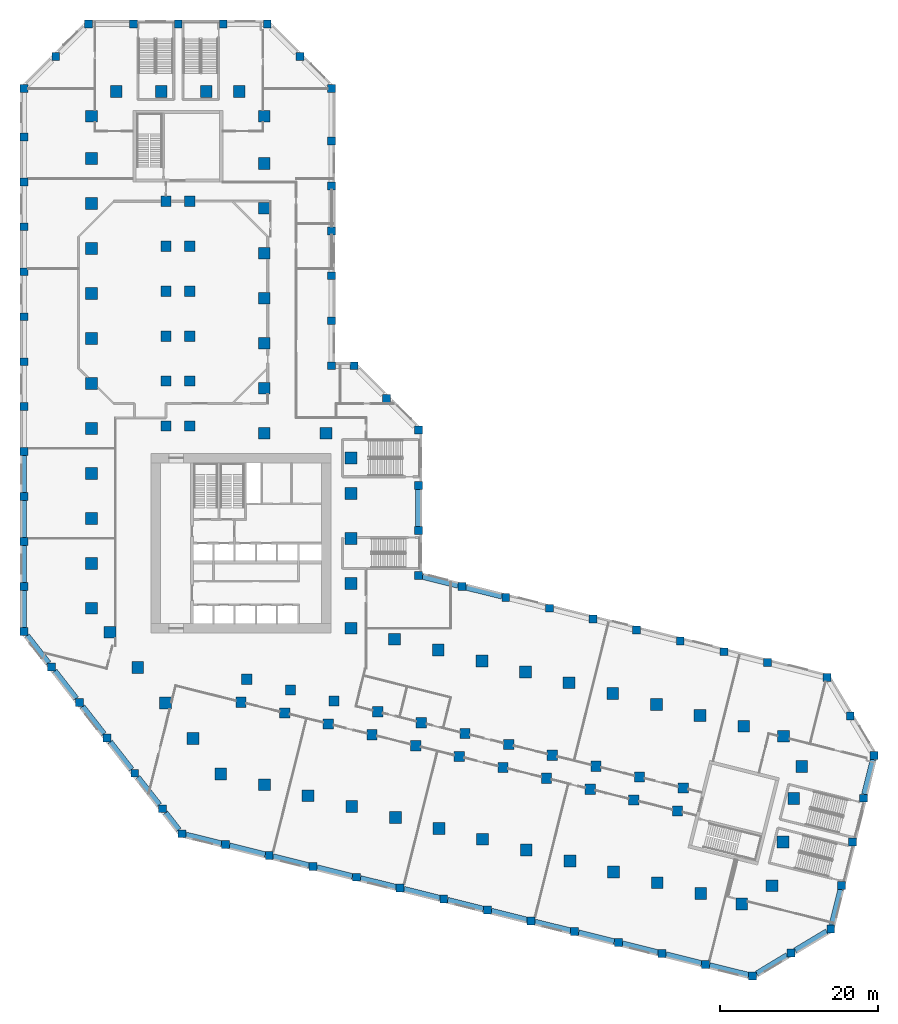
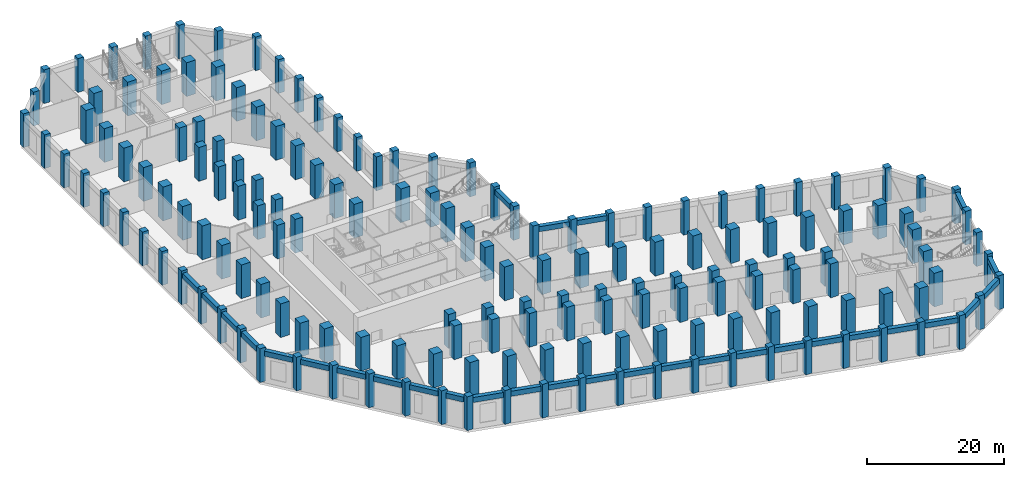
# One storey, part 1 of 15: 163 columns, 30 beams.
"""IFC4 building model written with IfcOpenShell, lengths in metres."""

from ifc_helpers import new_model, si_unit, direction, frame, origin, origin_2d, place, context, subcontext, project, spatial, rectangle, extrude, material, material_profile, profile_set, type_object, element, save


model = new_model("IFC4")

# Units and contexts
model_context = context("Model", 3, precision=1e-05, world=origin(), true_north=direction((0.0, 1.0)))
body_context = subcontext(model_context, "Body", "Model", "MODEL_VIEW")
ifc_project = project(units=[si_unit("LENGTHUNIT", "METRE"), si_unit("AREAUNIT", "SQUARE_METRE"), si_unit("VOLUMEUNIT", "CUBIC_METRE"), si_unit("PLANEANGLEUNIT", "RADIAN"), si_unit("MASSUNIT", "GRAM", prefix="KILO")], contexts=[model_context])

# Site, building, storey
site_placement = place(None, origin())
site = spatial("IfcSite", under=ifc_project, at=site_placement, CompositionType="ELEMENT")
building_placement = place(site_placement, origin())
building = spatial("IfcBuilding", under=site, at=building_placement, Name="Meshkara Civic Tower", CompositionType="ELEMENT")
storey_placement = place(building_placement, frame((0.0, 0.0, 12.60009765625)))
storey = spatial("IfcBuildingStorey", under=building, at=storey_placement, Name="L02", CompositionType="ELEMENT", Elevation=12.60009765625)

# Columns
ifc_material_1 = material(Name="Concrete C80", Category="concrete")
ifc_material_profile_1 = material_profile(ifc_material_1, rectangle(XDim=1.300048828125, YDim=1.300048828125, at=origin_2d()))
ifc_profile_set_1 = profile_set([ifc_material_profile_1], Name="Concrete C80")
column_type_1 = type_object("IfcColumnType", Name="Interior column RC 1300x1300 C80", PredefinedType="COLUMN", material=ifc_profile_set_1)
for number, where, z_axis, x_axis, name in (
    (1, (9.89990234375, 40.35009765625, 0.0), (0.0, 0.0, 1.0), (1.0, 0.0, 0.0), "Column SA1-04 L02"),
    (2, (9.89990234375, 46.050048828125, 0.0), (0.0, 0.0, 1.0), (1.0, 0.0, 0.0), "Column SA1-05 L02"),
    (3, (9.89990234375, 51.75, 0.0), (0.0, 0.0, 1.0), (1.0, 0.0, 0.0), "Column SA1-06 L02"),
    (4, (9.89990234375, 57.449951171875, 0.0), (0.0, 0.0, 1.0), (1.0, 0.0, 0.0), "Column SA1-07 L02"),
    (5, (9.89990234375, 63.14990234375, 0.0), (0.0, 0.0, 1.0), (1.0, 0.0, 0.0), "Column SA1-08 L02"),
    (6, (9.89990234375, 68.85009765625, 0.0), (0.0, 0.0, 1.0), (1.0, 0.0, 0.0), "Column SA1-09 L02"),
    (7, (12.89990234375, 40.35009765625, 0.0), (0.0, 0.0, 1.0), (1.0, 0.0, 0.0), "Column SA2-04 L02"),
    (8, (12.89990234375, 46.050048828125, 0.0), (0.0, 0.0, 1.0), (1.0, 0.0, 0.0), "Column SA2-05 L02"),
    (9, (12.89990234375, 51.75, 0.0), (0.0, 0.0, 1.0), (1.0, 0.0, 0.0), "Column SA2-06 L02"),
    (10, (12.89990234375, 57.449951171875, 0.0), (0.0, 0.0, 1.0), (1.0, 0.0, 0.0), "Column SA2-07 L02"),
    (11, (12.89990234375, 63.14990234375, 0.0), (0.0, 0.0, 1.0), (1.0, 0.0, 0.0), "Column SA2-08 L02"),
    (12, (12.89990234375, 68.85009765625, 0.0), (0.0, 0.0, 1.0), (1.0, 0.0, 0.0), "Column SA2-09 L02"),
    (13, (19.424072265625, 5.360107421875, 0.0), (0.0, 0.0, 1.0), (1.0, 0.0, 0.0), "Column SB1-00 L02"),
    (14, (24.9541015625, 3.98095703125, 0.0), (0.0, 0.0, 1.0), (1.0, 0.0, 0.0), "Column SB1-01 L02"),
    (15, (30.485107421875, 2.60205078125, 0.0), (0.0, 0.0, 1.0), (1.0, 0.0, 0.0), "Column SB1-02 L02"),
    (16, (36.01611328125, 1.222900390625, 0.0), (0.0, 0.0, 1.0), (1.0, 0.0, 0.0), "Column SB1-03 L02"),
    (17, (41.5458984375, -0.156005859375, 0.0), (0.0, 0.0, 1.0), (1.0, 0.0, 0.0), "Column SB1-04 L02"),
    (18, (47.076904296875, -1.534912109375, 0.0), (0.0, 0.0, 1.0), (1.0, 0.0, 0.0), "Column SB1-05 L02"),
    (19, (52.60791015625, -2.9140625, 0.0), (0.0, 0.0, 1.0), (1.0, 0.0, 0.0), "Column SB1-06 L02"),
    (20, (58.138916015625, -4.2919921875, 0.0), (0.0, 0.0, 1.0), (1.0, 0.0, 0.0), "Column SB1-07 L02"),
    (21, (63.6689453125, -5.6708984375, 0.0), (0.0, 0.0, 1.0), (1.0, 0.0, 0.0), "Column SB1-08 L02"),
    (22, (69.199951171875, -7.050048828125, 0.0), (0.0, 0.0, 1.0), (1.0, 0.0, 0.0), "Column SB1-09 L02"),
    (23, (74.73095703125, -8.428955078125, 0.0), (0.0, 0.0, 1.0), (1.0, 0.0, 0.0), "Column SB1-10 L02"),
    (24, (20.14892578125, 8.27099609375, 0.0), (0.0, 0.0, 1.0), (1.0, 0.0, 0.0), "Column SB2-00 L02"),
    (25, (25.679931640625, 6.89208984375, 0.0), (0.0, 0.0, 1.0), (1.0, 0.0, 0.0), "Column SB2-01 L02"),
    (26, (31.2109375, 5.512939453125, 0.0), (0.0, 0.0, 1.0), (1.0, 0.0, 0.0), "Column SB2-02 L02"),
    (27, (36.741943359375, 4.134033203125, 0.0), (0.0, 0.0, 1.0), (1.0, 0.0, 0.0), "Column SB2-03 L02"),
    (28, (42.27197265625, 2.7548828125, 0.0), (0.0, 0.0, 1.0), (1.0, 0.0, 0.0), "Column SB2-04 L02"),
    (29, (47.802978515625, 1.3759765625, 0.0), (0.0, 0.0, 1.0), (1.0, 0.0, 0.0), "Column SB2-05 L02"),
    (30, (53.333984375, -0.0029296875, 0.0), (0.0, 0.0, 1.0), (1.0, 0.0, 0.0), "Column SB2-06 L02"),
    (31, (58.864013671875, -1.382080078125, 0.0), (0.0, 0.0, 1.0), (1.0, 0.0, 0.0), "Column SB2-07 L02"),
    (32, (64.39501953125, -2.760986328125, 0.0), (0.0, 0.0, 1.0), (1.0, 0.0, 0.0), "Column SB2-08 L02"),
    (33, (69.926025390625, -4.139892578125, 0.0), (0.0, 0.0, 1.0), (1.0, 0.0, 0.0), "Column SB2-09 L02"),
    (34, (75.4560546875, -5.51806640625, 0.0), (0.0, 0.0, 1.0), (1.0, 0.0, 0.0), "Column SB2-10 L02"),
):
    element("IfcColumn", number, at=place(storey_placement, frame(where, z_axis=z_axis, x_axis=x_axis)), inside=storey, type_object=column_type_1, Name=name, PredefinedType="COLUMN", context=body_context, shape_type="SweptSolid", body=[
        extrude(rectangle(XDim=1.300048828125, YDim=1.300048828125, at=origin_2d()), origin(), (0.0, 0.0, 1.0), 6.0),
    ])
ifc_material_2 = material(Name="Concrete C80", Category="concrete")
ifc_material_profile_2 = material_profile(ifc_material_2, rectangle(XDim=1.5, YDim=1.5, at=origin_2d()))
ifc_profile_set_2 = profile_set([ifc_material_profile_2], Name="Concrete C80")
column_type_2 = type_object("IfcColumnType", Name="Perimeter column RC 1500x1500 C80", PredefinedType="COLUMN", material=ifc_profile_set_2)
for number, where, z_axis, x_axis, name in (
    (35, (33.35009765625, 14.718994140625, 0.0), (0.0, 0.0, 1.0), (1.0, 0.0, 0.0), "Column HE00 L02"),
    (36, (33.35009765625, 20.4189453125, 0.0), (0.0, 0.0, 1.0), (1.0, 0.0, 0.0), "Column HE01 L02"),
    (37, (33.35009765625, 26.118896484375, 0.0), (0.0, 0.0, 1.0), (1.0, 0.0, 0.0), "Column HE02 L02"),
    (38, (33.35009765625, 31.819091796875, 0.0), (0.0, 0.0, 1.0), (1.0, 0.0, 0.0), "Column HE03 L02"),
    (39, (33.35009765625, 36.2939453125, 0.0), (0.0, 0.0, 1.0), (1.0, 0.0, 0.0), "Column HEE L02"),
    (40, (30.194091796875, 39.449951171875, 0.0), (0.0, 0.0, 1.0), (1.0, 0.0, 0.0), "Column HCeE L02"),
    (41, (22.35009765625, 39.449951171875, 0.0), (0.0, 0.0, 1.0), (1.0, 0.0, 0.0), "Column HN00 L02"),
    (42, (22.35009765625, 45.14990234375, 0.0), (0.0, 0.0, 1.0), (1.0, 0.0, 0.0), "Column AE01 L02"),
    (43, (22.35009765625, 50.85009765625, 0.0), (0.0, 0.0, 1.0), (1.0, 0.0, 0.0), "Column AE02 L02"),
    (44, (22.35009765625, 56.550048828125, 0.0), (0.0, 0.0, 1.0), (1.0, 0.0, 0.0), "Column AE03 L02"),
    (45, (22.35009765625, 62.25, 0.0), (0.0, 0.0, 1.0), (1.0, 0.0, 0.0), "Column AE04 L02"),
    (46, (22.35009765625, 67.949951171875, 0.0), (0.0, 0.0, 1.0), (1.0, 0.0, 0.0), "Column AE05 L02"),
    (47, (22.35009765625, 73.64990234375, 0.0), (0.0, 0.0, 1.0), (1.0, 0.0, 0.0), "Column AE06 L02"),
    (48, (22.35009765625, 79.614013671875, 0.0), (0.0, 0.0, 1.0), (1.0, 0.0, 0.0), "Column AEE L02"),
    (49, (19.194091796875, 82.77001953125, 0.0), (0.0, 0.0, 1.0), (1.0, 0.0, 0.0), "Column ATiE L02"),
    (50, (3.60595703125, 82.77001953125, 0.0), (0.0, 0.0, 1.0), (1.0, 0.0, 0.0), "Column AT00 L02"),
    (51, (9.305908203125, 82.77001953125, 0.0), (0.0, 0.0, 1.0), (1.0, 0.0, 0.0), "Column AT01 L02"),
    (52, (15.006103515625, 82.77001953125, 0.0), (0.0, 0.0, 1.0), (1.0, 0.0, 0.0), "Column AT02 L02"),
    (53, (0.449951171875, 79.614013671875, 0.0), (0.0, 0.0, 1.0), (1.0, 0.0, 0.0), "Column ATo00 L02"),
    (54, (0.449951171875, 17.2548828125, 0.0), (0.0, 0.0, 1.0), (1.0, 0.0, 0.0), "Column AW00 L02"),
    (55, (0.449951171875, 22.955078125, 0.0), (0.0, 0.0, 1.0), (1.0, 0.0, 0.0), "Column AW01 L02"),
    (56, (0.449951171875, 28.655029296875, 0.0), (0.0, 0.0, 1.0), (1.0, 0.0, 0.0), "Column AW02 L02"),
    (57, (0.449951171875, 34.35498046875, 0.0), (0.0, 0.0, 1.0), (1.0, 0.0, 0.0), "Column AW03 L02"),
    (58, (0.449951171875, 40.054931640625, 0.0), (0.0, 0.0, 1.0), (1.0, 0.0, 0.0), "Column AW04 L02"),
    (59, (0.449951171875, 45.7548828125, 0.0), (0.0, 0.0, 1.0), (1.0, 0.0, 0.0), "Column AW05 L02"),
    (60, (0.449951171875, 51.455078125, 0.0), (0.0, 0.0, 1.0), (1.0, 0.0, 0.0), "Column AW06 L02"),
    (61, (0.449951171875, 57.155029296875, 0.0), (0.0, 0.0, 1.0), (1.0, 0.0, 0.0), "Column AW07 L02"),
    (62, (0.449951171875, 62.85498046875, 0.0), (0.0, 0.0, 1.0), (1.0, 0.0, 0.0), "Column AW08 L02"),
    (63, (0.449951171875, 68.554931640625, 0.0), (0.0, 0.0, 1.0), (1.0, 0.0, 0.0), "Column AW09 L02"),
    (64, (0.449951171875, 74.2548828125, 0.0), (0.0, 0.0, 1.0), (1.0, 0.0, 0.0), "Column AW10 L02"),
    (65, (16.85107421875, -3.738037109375, 0.0), (0.0, 0.0, 1.0), (1.0, 0.0, 0.0), "Column BOW00 L02"),
    (66, (13.342041015625, 0.75390625, 0.0), (0.0, 0.0, 1.0), (1.0, 0.0, 0.0), "Column BOW01 L02"),
    (67, (9.8330078125, 5.2451171875, 0.0), (0.0, 0.0, 1.0), (1.0, 0.0, 0.0), "Column BOW02 L02"),
    (68, (6.322998046875, 9.737060546875, 0.0), (0.0, 0.0, 1.0), (1.0, 0.0, 0.0), "Column BOW03 L02"),
    (69, (2.81396484375, 14.22900390625, 0.0), (0.0, 0.0, 1.0), (1.0, 0.0, 0.0), "Column BOW04 L02"),
    (70, (22.382080078125, -5.116943359375, 0.0), (0.0, 0.0, 1.0), (1.0, 0.0, 0.0), "Column BS01 L02"),
    (71, (27.912109375, -6.49609375, 0.0), (0.0, 0.0, 1.0), (1.0, 0.0, 0.0), "Column BS02 L02"),
    (72, (33.443115234375, -7.875, 0.0), (0.0, 0.0, 1.0), (1.0, 0.0, 0.0), "Column BS03 L02"),
    (73, (38.97412109375, -9.25390625, 0.0), (0.0, 0.0, 1.0), (1.0, 0.0, 0.0), "Column BS04 L02"),
    (74, (44.5048828125, -10.632080078125, 0.0), (0.0, 0.0, 1.0), (1.0, 0.0, 0.0), "Column BS05 L02"),
    (75, (50.034912109375, -12.010986328125, 0.0), (0.0, 0.0, 1.0), (1.0, 0.0, 0.0), "Column BS06 L02"),
    (76, (55.56591796875, -13.389892578125, 0.0), (0.0, 0.0, 1.0), (1.0, 0.0, 0.0), "Column BS07 L02"),
    (77, (61.096923828125, -14.76904296875, 0.0), (0.0, 0.0, 1.0), (1.0, 0.0, 0.0), "Column BS08 L02"),
    (78, (66.626953125, -16.14794921875, 0.0), (0.0, 0.0, 1.0), (1.0, 0.0, 0.0), "Column BS09 L02"),
    (79, (72.157958984375, -17.527099609375, 0.0), (0.0, 0.0, 1.0), (1.0, 0.0, 0.0), "Column BS10 L02"),
    (80, (77.68896484375, -18.906005859375, 0.0), (0.0, 0.0, 1.0), (1.0, 0.0, 0.0), "Column BS11 L02"),
    (81, (82.887939453125, -20.201904296875, 0.0), (0.0, 0.0, 1.0), (1.0, 0.0, 0.0), "Column BSE L02"),
    (82, (86.714111328125, -17.903076171875, 0.0), (0.0, 0.0, 1.0), (1.0, 0.0, 0.0), "Column BToE L02"),
    (83, (88.093017578125, -12.3720703125, 0.0), (0.0, 0.0, 1.0), (1.0, 0.0, 0.0), "Column BT01 L02"),
    (84, (89.471923828125, -6.842041015625, 0.0), (0.0, 0.0, 1.0), (1.0, 0.0, 0.0), "Column BT02 L02"),
    (85, (90.485107421875, -2.779052734375, 0.0), (0.0, 0.0, 1.0), (1.0, 0.0, 0.0), "Column BTE L02"),
    (86, (88.18603515625, 1.0458984375, 0.0), (0.0, 0.0, 1.0), (1.0, 0.0, 0.0), "Column BTi00 L02"),
    (87, (38.881103515625, 13.340087890625, 0.0), (0.0, 0.0, 1.0), (1.0, 0.0, 0.0), "Column BN01 L02"),
    (88, (44.410888671875, 11.9609375, 0.0), (0.0, 0.0, 1.0), (1.0, 0.0, 0.0), "Column BN02 L02"),
    (89, (49.94189453125, 10.58203125, 0.0), (0.0, 0.0, 1.0), (1.0, 0.0, 0.0), "Column BN03 L02"),
    (90, (55.472900390625, 9.202880859375, 0.0), (0.0, 0.0, 1.0), (1.0, 0.0, 0.0), "Column BN04 L02"),
    (91, (61.0029296875, 7.823974609375, 0.0), (0.0, 0.0, 1.0), (1.0, 0.0, 0.0), "Column BN05 L02"),
    (92, (66.533935546875, 6.445068359375, 0.0), (0.0, 0.0, 1.0), (1.0, 0.0, 0.0), "Column BN06 L02"),
    (93, (72.06494140625, 5.06591796875, 0.0), (0.0, 0.0, 1.0), (1.0, 0.0, 0.0), "Column BN07 L02"),
    (94, (77.594970703125, 3.68701171875, 0.0), (0.0, 0.0, 1.0), (1.0, 0.0, 0.0), "Column BN08 L02"),
    (95, (83.1259765625, 2.30810546875, 0.0), (0.0, 0.0, 1.0), (1.0, 0.0, 0.0), "Column BN09 L02"),
):
    element("IfcColumn", number, at=place(storey_placement, frame(where, z_axis=z_axis, x_axis=x_axis)), inside=storey, type_object=column_type_2, Name=name, PredefinedType="COLUMN", context=body_context, shape_type="SweptSolid", body=[
        extrude(rectangle(XDim=1.5, YDim=1.5, at=origin_2d()), origin(), (0.0, 0.0, 1.0), 6.0),
    ])
ifc_material_3 = material(Name="Concrete C60", Category="concrete")
ifc_material_profile_3 = material_profile(ifc_material_3, rectangle(XDim=1.0, YDim=1.0, at=origin_2d()))
ifc_profile_set_3 = profile_set([ifc_material_profile_3], Name="Concrete C60")
column_type_3 = type_object("IfcColumnType", Name="Podium edge column RC 1000x1000 C60", PredefinedType="COLUMN", material=ifc_profile_set_3)
for number, where, z_axis, x_axis, name in (
    (96, (0.06396484375, 91.320068359375, 0.0), (0.0, 0.0, 1.0), (1.0, 0.0, 0.0), "Column PD00-00 L02"),
    (97, (5.763916015625, 91.320068359375, 0.0), (0.0, 0.0, 1.0), (1.0, 0.0, 0.0), "Column PD00-01 L02"),
    (98, (11.464111328125, 91.320068359375, 0.0), (0.0, 0.0, 1.0), (1.0, 0.0, 0.0), "Column PD00-02 L02"),
    (99, (17.1640625, 91.320068359375, 0.0), (0.0, 0.0, 1.0), (1.0, 0.0, 0.0), "Column PD00-03 L02"),
    (100, (22.736083984375, 91.320068359375, 0.0), (0.0, 0.0, 1.0), (1.0, 0.0, 0.0), "Column PD00-E L02"),
    (101, (-8.10009765625, 83.156005859375, 0.0), (0.0, 0.0, 1.0), (1.0, 0.0, 0.0), "Column PD01-00 L02"),
    (102, (-4.069091796875, 87.18701171875, 0.0), (0.0, 0.0, 1.0), (1.0, 0.0, 0.0), "Column PD01-01 L02"),
    (103, (-8.10009765625, 14.31103515625, 0.0), (0.0, 0.0, 1.0), (1.0, 0.0, 0.0), "Column PD02-00 L02"),
    (104, (-8.10009765625, 20.010986328125, 0.0), (0.0, 0.0, 1.0), (1.0, 0.0, 0.0), "Column PD02-01 L02"),
    (105, (-8.10009765625, 25.7109375, 0.0), (0.0, 0.0, 1.0), (1.0, 0.0, 0.0), "Column PD02-02 L02"),
    (106, (-8.10009765625, 31.410888671875, 0.0), (0.0, 0.0, 1.0), (1.0, 0.0, 0.0), "Column PD02-03 L02"),
    (107, (-8.10009765625, 37.111083984375, 0.0), (0.0, 0.0, 1.0), (1.0, 0.0, 0.0), "Column PD02-04 L02"),
    (108, (-8.10009765625, 42.81103515625, 0.0), (0.0, 0.0, 1.0), (1.0, 0.0, 0.0), "Column PD02-05 L02"),
    (109, (-8.10009765625, 48.510986328125, 0.0), (0.0, 0.0, 1.0), (1.0, 0.0, 0.0), "Column PD02-06 L02"),
    (110, (-8.10009765625, 54.2109375, 0.0), (0.0, 0.0, 1.0), (1.0, 0.0, 0.0), "Column PD02-07 L02"),
    (111, (-8.10009765625, 59.910888671875, 0.0), (0.0, 0.0, 1.0), (1.0, 0.0, 0.0), "Column PD02-08 L02"),
    (112, (-8.10009765625, 65.611083984375, 0.0), (0.0, 0.0, 1.0), (1.0, 0.0, 0.0), "Column PD02-09 L02"),
    (113, (-8.10009765625, 71.31103515625, 0.0), (0.0, 0.0, 1.0), (1.0, 0.0, 0.0), "Column PD02-10 L02"),
    (114, (-8.10009765625, 77.010986328125, 0.0), (0.0, 0.0, 1.0), (1.0, 0.0, 0.0), "Column PD02-11 L02"),
    (115, (-4.591064453125, 9.819091796875, 0.0), (0.0, 0.0, 1.0), (1.0, 0.0, 0.0), "Column PD03-01 L02"),
    (116, (-1.08203125, 5.327880859375, 0.0), (0.0, 0.0, 1.0), (1.0, 0.0, 0.0), "Column PD03-02 L02"),
    (117, (2.427978515625, 0.8359375, 0.0), (0.0, 0.0, 1.0), (1.0, 0.0, 0.0), "Column PD03-03 L02"),
    (118, (5.93701171875, -3.656005859375, 0.0), (0.0, 0.0, 1.0), (1.0, 0.0, 0.0), "Column PD03-04 L02"),
    (119, (9.446044921875, -8.14794921875, 0.0), (0.0, 0.0, 1.0), (1.0, 0.0, 0.0), "Column PD03-05 L02"),
    (120, (11.926025390625, -11.322021484375, 0.0), (0.0, 0.0, 1.0), (1.0, 0.0, 0.0), "Column PD03-E L02"),
    (121, (17.45703125, -12.700927734375, 0.0), (0.0, 0.0, 1.0), (1.0, 0.0, 0.0), "Column PD04-01 L02"),
    (122, (22.987060546875, -14.080078125, 0.0), (0.0, 0.0, 1.0), (1.0, 0.0, 0.0), "Column PD04-02 L02"),
    (123, (28.51806640625, -15.458984375, 0.0), (0.0, 0.0, 1.0), (1.0, 0.0, 0.0), "Column PD04-03 L02"),
    (124, (34.049072265625, -16.837890625, 0.0), (0.0, 0.0, 1.0), (1.0, 0.0, 0.0), "Column PD04-04 L02"),
    (125, (39.580078125, -18.216064453125, 0.0), (0.0, 0.0, 1.0), (1.0, 0.0, 0.0), "Column PD04-05 L02"),
    (126, (45.110107421875, -19.594970703125, 0.0), (0.0, 0.0, 1.0), (1.0, 0.0, 0.0), "Column PD04-06 L02"),
    (127, (50.64111328125, -20.97412109375, 0.0), (0.0, 0.0, 1.0), (1.0, 0.0, 0.0), "Column PD04-07 L02"),
    (128, (56.172119140625, -22.35302734375, 0.0), (0.0, 0.0, 1.0), (1.0, 0.0, 0.0), "Column PD04-08 L02"),
    (129, (61.701904296875, -23.73193359375, 0.0), (0.0, 0.0, 1.0), (1.0, 0.0, 0.0), "Column PD04-09 L02"),
    (130, (67.23291015625, -25.111083984375, 0.0), (0.0, 0.0, 1.0), (1.0, 0.0, 0.0), "Column PD04-10 L02"),
    (131, (72.763916015625, -26.489990234375, 0.0), (0.0, 0.0, 1.0), (1.0, 0.0, 0.0), "Column PD04-11 L02"),
    (132, (78.2939453125, -27.868896484375, 0.0), (0.0, 0.0, 1.0), (1.0, 0.0, 0.0), "Column PD04-12 L02"),
    (133, (84.256103515625, -29.35498046875, 0.0), (0.0, 0.0, 1.0), (1.0, 0.0, 0.0), "Column PD04-E L02"),
    (134, (89.14208984375, -26.4189453125, 0.0), (0.0, 0.0, 1.0), (1.0, 0.0, 0.0), "Column PD05-01 L02"),
    (135, (94.153076171875, -23.407958984375, 0.0), (0.0, 0.0, 1.0), (1.0, 0.0, 0.0), "Column PD05-E L02"),
    (136, (95.531982421875, -17.876953125, 0.0), (0.0, 0.0, 1.0), (1.0, 0.0, 0.0), "Column PD06-01 L02"),
    (137, (96.910888671875, -12.346923828125, 0.0), (0.0, 0.0, 1.0), (1.0, 0.0, 0.0), "Column PD06-02 L02"),
    (138, (98.2900390625, -6.81591796875, 0.0), (0.0, 0.0, 1.0), (1.0, 0.0, 0.0), "Column PD06-03 L02"),
    (139, (99.637939453125, -1.410888671875, 0.0), (0.0, 0.0, 1.0), (1.0, 0.0, 0.0), "Column PD06-E L02"),
    (140, (93.68994140625, 8.485107421875, 0.0), (0.0, 0.0, 1.0), (1.0, 0.0, 0.0), "Column PD07-00 L02"),
    (141, (96.6259765625, 3.60009765625, 0.0), (0.0, 0.0, 1.0), (1.0, 0.0, 0.0), "Column PD07-01 L02"),
    (142, (41.89990234375, 21.39892578125, 0.0), (0.0, 0.0, 1.0), (1.0, 0.0, 0.0), "Column PD08-00 L02"),
    (143, (47.430908203125, 20.02001953125, 0.0), (0.0, 0.0, 1.0), (1.0, 0.0, 0.0), "Column PD08-01 L02"),
    (144, (52.9609375, 18.64111328125, 0.0), (0.0, 0.0, 1.0), (1.0, 0.0, 0.0), "Column PD08-02 L02"),
    (145, (58.491943359375, 17.261962890625, 0.0), (0.0, 0.0, 1.0), (1.0, 0.0, 0.0), "Column PD08-03 L02"),
    (146, (64.02294921875, 15.883056640625, 0.0), (0.0, 0.0, 1.0), (1.0, 0.0, 0.0), "Column PD08-04 L02"),
    (147, (69.552978515625, 14.50390625, 0.0), (0.0, 0.0, 1.0), (1.0, 0.0, 0.0), "Column PD08-05 L02"),
    (148, (75.083984375, 13.1240234375, 0.0), (0.0, 0.0, 1.0), (1.0, 0.0, 0.0), "Column PD08-06 L02"),
    (149, (80.614990234375, 11.7451171875, 0.0), (0.0, 0.0, 1.0), (1.0, 0.0, 0.0), "Column PD08-07 L02"),
    (150, (86.14501953125, 10.365966796875, 0.0), (0.0, 0.0, 1.0), (1.0, 0.0, 0.0), "Column PD08-08 L02"),
    (151, (41.89990234375, 27.09912109375, 0.0), (0.0, 0.0, 1.0), (1.0, 0.0, 0.0), "Column PD09-01 L02"),
    (152, (41.89990234375, 32.799072265625, 0.0), (0.0, 0.0, 1.0), (1.0, 0.0, 0.0), "Column PD09-02 L02"),
    (153, (41.89990234375, 39.8359375, 0.0), (0.0, 0.0, 1.0), (1.0, 0.0, 0.0), "Column PD09-E L02"),
    (154, (37.868896484375, 43.866943359375, 0.0), (0.0, 0.0, 1.0), (1.0, 0.0, 0.0), "Column PD10-01 L02"),
    (155, (33.736083984375, 48.0, 0.0), (0.0, 0.0, 1.0), (1.0, 0.0, 0.0), "Column PD10-E L02"),
    (156, (30.89990234375, 48.0, 0.0), (0.0, 0.0, 1.0), (1.0, 0.0, 0.0), "Column PD11-00 L02"),
    (157, (30.89990234375, 53.699951171875, 0.0), (0.0, 0.0, 1.0), (1.0, 0.0, 0.0), "Column PD12-01 L02"),
    (158, (30.89990234375, 59.39990234375, 0.0), (0.0, 0.0, 1.0), (1.0, 0.0, 0.0), "Column PD12-02 L02"),
    (159, (30.89990234375, 65.10009765625, 0.0), (0.0, 0.0, 1.0), (1.0, 0.0, 0.0), "Column PD12-03 L02"),
    (160, (30.89990234375, 70.800048828125, 0.0), (0.0, 0.0, 1.0), (1.0, 0.0, 0.0), "Column PD12-04 L02"),
    (161, (30.89990234375, 76.5, 0.0), (0.0, 0.0, 1.0), (1.0, 0.0, 0.0), "Column PD12-05 L02"),
    (162, (30.89990234375, 83.156005859375, 0.0), (0.0, 0.0, 1.0), (1.0, 0.0, 0.0), "Column PD12-E L02"),
    (163, (26.868896484375, 87.18701171875, 0.0), (0.0, 0.0, 1.0), (1.0, 0.0, 0.0), "Column PD13-01 L02"),
):
    element("IfcColumn", number, at=place(storey_placement, frame(where, z_axis=z_axis, x_axis=x_axis)), inside=storey, type_object=column_type_3, Name=name, PredefinedType="COLUMN", context=body_context, shape_type="SweptSolid", body=[
        extrude(rectangle(XDim=1.0, YDim=1.0, at=origin_2d()), origin(), (0.0, 0.0, 1.0), 6.0),
    ])

# Beams
ifc_material_4 = material(Name="Concrete C60", Category="concrete")
ifc_material_profile_4 = material_profile(ifc_material_4, rectangle(XDim=0.699951171875, YDim=0.89990234375, at=origin_2d()))
ifc_profile_set_4 = profile_set([ifc_material_profile_4], Name="Concrete C60")
beam_type = type_object("IfcBeamType", Name="Spandrel beam RC 700x900 C60", PredefinedType="BEAM", material=ifc_profile_set_4)
for number, where, z_axis, x_axis, name in (
    (164, (-8.10009765625, 36.615966796875, 5.099853515625), (0.0, -1.0, 0.0), (1.0, 0.0, 0.0), "Spandrel beam PD02-03-PD02-04"),
    (165, (-8.10009765625, 30.916015625, 5.099853515625), (0.0, -1.0, 0.0), (1.0, 0.0, 0.0), "Spandrel beam PD02-02-PD02-03"),
    (166, (-8.10009765625, 25.216064453125, 5.099853515625), (0.0, -1.0, 0.0), (1.0, 0.0, 0.0), "Spandrel beam PD02-01-PD02-02"),
):
    element("IfcBeam", number, at=place(storey_placement, frame(where, z_axis=z_axis, x_axis=x_axis)), inside=storey, type_object=beam_type, Name=name, PredefinedType="BEAM", context=body_context, shape_type="SweptSolid", body=[
        extrude(rectangle(XDim=0.699951171875, YDim=0.89990234375, at=origin_2d()), origin(), (0.0, 0.0, 1.0), 4.7099609375),
    ])
beam_1_placement = place(storey_placement, frame((-8.10009765625, 19.51611328125, 5.099853515625), z_axis=(0.0, -1.0, 0.0), x_axis=(1.0, 0.0, 0.0)))
element("IfcBeam", 167, at=beam_1_placement, inside=storey, type_object=beam_type, Name="Spandrel beam PD02-00-PD02-01", PredefinedType="BEAM", context=body_context, shape_type="SweptSolid", body=[
    extrude(rectangle(XDim=0.699951171875, YDim=0.89990234375, at=origin_2d()), origin(), (0.0, 0.0, 1.0), 4.710205078125),
])
beam_2_placement = place(storey_placement, frame((-7.71240234375, 13.81494140625, 5.099853515625), z_axis=(0.615602435322, -0.788056877151, 0.0), x_axis=(0.788056877151, 0.615602435322, 0.0)))
element("IfcBeam", 168, at=beam_2_placement, inside=storey, type_object=beam_type, Name="Spandrel beam PD02-00-PD03-01", PredefinedType="BEAM", context=body_context, shape_type="SweptSolid", body=[
    extrude(rectangle(XDim=0.699951171875, YDim=0.89990234375, at=origin_2d()), origin(), (0.0, 0.0, 1.0), 4.44091796875),
])
beam_3_placement = place(storey_placement, frame((-4.203369140625, 9.322998046875, 5.099853515625), z_axis=(0.615709126877, -0.787973521814, 0.0), x_axis=(0.787973521814, 0.615709126877, 0.0)))
element("IfcBeam", 169, at=beam_3_placement, inside=storey, type_object=beam_type, Name="Spandrel beam PD03-01-PD03-02", PredefinedType="BEAM", context=body_context, shape_type="SweptSolid", body=[
    extrude(rectangle(XDim=0.699951171875, YDim=0.89990234375, at=origin_2d()), origin(), (0.0, 0.0, 1.0), 4.440185546875),
])
beam_4_placement = place(storey_placement, frame((-0.6943359375, 4.831787109375, 5.099853515625), z_axis=(0.615704842432, -0.787976869588, 0.0), x_axis=(0.787976869588, 0.615704842432, 0.0)))
element("IfcBeam", 170, at=beam_4_placement, inside=storey, type_object=beam_type, Name="Spandrel beam PD03-02-PD03-03", PredefinedType="BEAM", context=body_context, shape_type="SweptSolid", body=[
    extrude(rectangle(XDim=0.699951171875, YDim=0.89990234375, at=origin_2d()), origin(), (0.0, 0.0, 1.0), 4.44140625),
])
for number, where, z_axis, x_axis, name in (
    (171, (2.8154296875, 0.33984375, 5.099853515625), (0.615636574491, -0.788030207637, 0.0), (0.788030207637, 0.615636574491, 0.0), "Spandrel beam PD03-03-PD03-04"),
    (172, (6.324462890625, -4.152099609375, 5.099853515625), (0.615636574491, -0.788030207637, 0.0), (0.788030207637, 0.615636574491, 0.0), "Spandrel beam PD03-04-PD03-05"),
):
    element("IfcBeam", number, at=place(storey_placement, frame(where, z_axis=z_axis, x_axis=x_axis)), inside=storey, type_object=beam_type, Name=name, PredefinedType="BEAM", context=body_context, shape_type="SweptSolid", body=[
        extrude(rectangle(XDim=0.699951171875, YDim=0.89990234375, at=origin_2d()), origin(), (0.0, 0.0, 1.0), 4.441162109375),
    ])
beam_5_placement = place(storey_placement, frame((9.83349609375, -8.64404296875, 5.099853515625), z_axis=(0.615697082111, -0.787982933242, 0.0), x_axis=(0.787982933242, 0.615697082111, 0.0)))
element("IfcBeam", 173, at=beam_5_placement, inside=storey, type_object=beam_type, Name="Spandrel beam PD03-05-PD03-E", PredefinedType="BEAM", context=body_context, shape_type="SweptSolid", body=[
    extrude(rectangle(XDim=0.699951171875, YDim=0.89990234375, at=origin_2d()), origin(), (0.0, 0.0, 1.0), 2.76904296875),
])
beam_6_placement = place(storey_placement, frame((12.421142578125, -11.445556640625, 5.099853515625), z_axis=(0.970311050729, -0.24186042428, 0.0), x_axis=(0.24186042428, 0.970311050729, 0.0)))
element("IfcBeam", 174, at=beam_6_placement, inside=storey, type_object=beam_type, Name="Spandrel beam PD03-E-PD04-01", PredefinedType="BEAM", context=body_context, shape_type="SweptSolid", body=[
    extrude(rectangle(XDim=0.699951171875, YDim=0.89990234375, at=origin_2d()), origin(), (0.0, 0.0, 1.0), 4.6796875),
])
beam_7_placement = place(storey_placement, frame((17.9521484375, -12.824462890625, 5.099853515625), z_axis=(0.970286590806, -0.241958533023, 0.0), x_axis=(0.241958533023, 0.970286590806, 0.0)))
element("IfcBeam", 175, at=beam_7_placement, inside=storey, type_object=beam_type, Name="Spandrel beam PD04-01-PD04-02", PredefinedType="BEAM", context=body_context, shape_type="SweptSolid", body=[
    extrude(rectangle(XDim=0.699951171875, YDim=0.89990234375, at=origin_2d()), origin(), (0.0, 0.0, 1.0), 4.6787109375),
])
for number, where, z_axis, x_axis, name in (
    (176, (23.482177734375, -14.20361328125, 5.099853515625), (0.970311050729, -0.24186042428, 0.0), (0.24186042428, 0.970311050729, 0.0), "Spandrel beam PD04-02-PD04-03"),
    (177, (29.01318359375, -15.58251953125, 5.099853515625), (0.970298806378, -0.241909541651, 0.0), (0.241909541651, 0.970298806378, 0.0), "Spandrel beam PD04-03-PD04-04"),
):
    element("IfcBeam", number, at=place(storey_placement, frame(where, z_axis=z_axis, x_axis=x_axis)), inside=storey, type_object=beam_type, Name=name, PredefinedType="BEAM", context=body_context, shape_type="SweptSolid", body=[
        extrude(rectangle(XDim=0.699951171875, YDim=0.89990234375, at=origin_2d()), origin(), (0.0, 0.0, 1.0), 4.6796875),
    ])
beam_8_placement = place(storey_placement, frame((34.544189453125, -16.96142578125, 5.099853515625), z_axis=(0.970347770718, -0.241713061011, 0.0), x_axis=(0.241713061011, 0.970347770718, 0.0)))
element("IfcBeam", 178, at=beam_8_placement, inside=storey, type_object=beam_type, Name="Spandrel beam PD04-04-PD04-05", PredefinedType="BEAM", context=body_context, shape_type="SweptSolid", body=[
    extrude(rectangle(XDim=0.699951171875, YDim=0.89990234375, at=origin_2d()), origin(), (0.0, 0.0, 1.0), 4.679443359375),
])
beam_9_placement = place(storey_placement, frame((40.0751953125, -18.339599609375, 5.099853515625), z_axis=(0.970298839963, -0.241909406941, 0.0), x_axis=(0.241909406941, 0.970298839963, 0.0)))
element("IfcBeam", 179, at=beam_9_placement, inside=storey, type_object=beam_type, Name="Spandrel beam PD04-05-PD04-06", PredefinedType="BEAM", context=body_context, shape_type="SweptSolid", body=[
    extrude(rectangle(XDim=0.699951171875, YDim=0.89990234375, at=origin_2d()), origin(), (0.0, 0.0, 1.0), 4.6787109375),
])
for number, where, z_axis, x_axis, name in (
    (180, (45.60498046875, -19.718505859375, 5.099853515625), (0.970301859111, -0.241897296812, 0.0), (0.241897296812, 0.970301859111, 0.0), "Spandrel beam PD04-06-PD04-07"),
    (181, (51.135986328125, -21.097412109375, 5.099853515625), (0.970301859111, -0.241897296812, 0.0), (0.241897296812, 0.970301859111, 0.0), "Spandrel beam PD04-07-PD04-08"),
):
    element("IfcBeam", number, at=place(storey_placement, frame(where, z_axis=z_axis, x_axis=x_axis)), inside=storey, type_object=beam_type, Name=name, PredefinedType="BEAM", context=body_context, shape_type="SweptSolid", body=[
        extrude(rectangle(XDim=0.699951171875, YDim=0.89990234375, at=origin_2d()), origin(), (0.0, 0.0, 1.0), 4.679931640625),
    ])
beam_10_placement = place(storey_placement, frame((56.6669921875, -22.4765625, 5.099853515625), z_axis=(0.970298839963, -0.241909406941, 0.0), x_axis=(0.241909406941, 0.970298839963, 0.0)))
element("IfcBeam", 182, at=beam_10_placement, inside=storey, type_object=beam_type, Name="Spandrel beam PD04-08-PD04-09", PredefinedType="BEAM", context=body_context, shape_type="SweptSolid", body=[
    extrude(rectangle(XDim=0.699951171875, YDim=0.89990234375, at=origin_2d()), origin(), (0.0, 0.0, 1.0), 4.6787109375),
])
for number, where, z_axis, x_axis, name in (
    (183, (62.197021484375, -23.85546875, 5.099853515625), (0.970298806378, -0.241909541651, 0.0), (0.241909541651, 0.970298806378, 0.0), "Spandrel beam PD04-09-PD04-10"),
    (184, (67.72802734375, -25.234619140625, 5.099853515625), (0.970311050729, -0.24186042428, 0.0), (0.24186042428, 0.970311050729, 0.0), "Spandrel beam PD04-10-PD04-11"),
):
    element("IfcBeam", number, at=place(storey_placement, frame(where, z_axis=z_axis, x_axis=x_axis)), inside=storey, type_object=beam_type, Name=name, PredefinedType="BEAM", context=body_context, shape_type="SweptSolid", body=[
        extrude(rectangle(XDim=0.699951171875, YDim=0.89990234375, at=origin_2d()), origin(), (0.0, 0.0, 1.0), 4.6796875),
    ])
beam_11_placement = place(storey_placement, frame((73.259033203125, -26.613525390625, 5.099853515625), z_axis=(0.970286590806, -0.241958533023, 0.0), x_axis=(0.241958533023, 0.970286590806, 0.0)))
element("IfcBeam", 185, at=beam_11_placement, inside=storey, type_object=beam_type, Name="Spandrel beam PD04-11-PD04-12", PredefinedType="BEAM", context=body_context, shape_type="SweptSolid", body=[
    extrude(rectangle(XDim=0.699951171875, YDim=0.89990234375, at=origin_2d()), origin(), (0.0, 0.0, 1.0), 4.6787109375),
])
beam_12_placement = place(storey_placement, frame((78.7890625, -27.992431640625, 5.099853515625), z_axis=(0.970313224603, -0.241851702828, 0.0), x_axis=(0.241851702828, 0.970313224603, 0.0)))
element("IfcBeam", 186, at=beam_12_placement, inside=storey, type_object=beam_type, Name="Spandrel beam PD04-12-PD04-E", PredefinedType="BEAM", context=body_context, shape_type="SweptSolid", body=[
    extrude(rectangle(XDim=0.699951171875, YDim=0.89990234375, at=origin_2d()), origin(), (0.0, 0.0, 1.0), 5.1240234375),
])
beam_13_placement = place(storey_placement, frame((84.751708984375, -29.05712890625, 5.099853515625), z_axis=(0.857141884297, 0.515080372547, 0.0), x_axis=(-0.515080372547, 0.857141884297, 0.0)))
element("IfcBeam", 187, at=beam_13_placement, inside=storey, type_object=beam_type, Name="Spandrel beam PD04-E-PD05-01", PredefinedType="BEAM", context=body_context, shape_type="SweptSolid", body=[
    extrude(rectangle(XDim=0.699951171875, YDim=0.89990234375, at=origin_2d()), origin(), (0.0, 0.0, 1.0), 4.543701171875),
])
beam_14_placement = place(storey_placement, frame((89.6376953125, -26.12109375, 5.099853515625), z_axis=(0.857157399661, 0.515054552651, 0.0), x_axis=(-0.515054552651, 0.857157399661, 0.0)))
element("IfcBeam", 188, at=beam_14_placement, inside=storey, type_object=beam_type, Name="Spandrel beam PD05-01-PD05-E", PredefinedType="BEAM", context=body_context, shape_type="SweptSolid", body=[
    extrude(rectangle(XDim=0.699951171875, YDim=0.89990234375, at=origin_2d()), origin(), (0.0, 0.0, 1.0), 4.689453125),
])
beam_15_placement = place(storey_placement, frame((94.276611328125, -22.912841796875, 5.099853515625), z_axis=(0.24186042428, 0.970311050729, 0.0), x_axis=(-0.970311050729, 0.24186042428, 0.0)))
element("IfcBeam", 189, at=beam_15_placement, inside=storey, type_object=beam_type, Name="Spandrel beam PD05-E-PD06-01", PredefinedType="BEAM", context=body_context, shape_type="SweptSolid", body=[
    extrude(rectangle(XDim=0.699951171875, YDim=0.89990234375, at=origin_2d()), origin(), (0.0, 0.0, 1.0), 4.6796875),
])
beam_16_placement = place(storey_placement, frame((98.41357421875, -6.32080078125, 5.099853515625), z_axis=(0.241942189564, 0.970290666197, 0.0), x_axis=(-0.970290666197, 0.241942189564, 0.0)))
element("IfcBeam", 190, at=beam_16_placement, inside=storey, type_object=beam_type, Name="Spandrel beam PD06-03-PD06-E", PredefinedType="BEAM", context=body_context, shape_type="SweptSolid", body=[
    extrude(rectangle(XDim=0.699951171875, YDim=0.89990234375, at=origin_2d()), origin(), (0.0, 0.0, 1.0), 4.550048828125),
])
beam_17_placement = place(storey_placement, frame((52.4658203125, 18.764404296875, 5.099853515625), z_axis=(-0.970286590806, 0.241958533023, 0.0), x_axis=(-0.241958533023, -0.970286590806, 0.0)))
element("IfcBeam", 191, at=beam_17_placement, inside=storey, type_object=beam_type, Name="Spandrel beam PD08-01-PD08-02", PredefinedType="BEAM", context=body_context, shape_type="SweptSolid", body=[
    extrude(rectangle(XDim=0.699951171875, YDim=0.89990234375, at=origin_2d()), origin(), (0.0, 0.0, 1.0), 4.6787109375),
])
beam_18_placement = place(storey_placement, frame((46.935791015625, 20.1435546875, 5.099853515625), z_axis=(-0.970311050729, 0.24186042428, 0.0), x_axis=(-0.24186042428, -0.970311050729, 0.0)))
element("IfcBeam", 192, at=beam_18_placement, inside=storey, type_object=beam_type, Name="Spandrel beam PD08-00-PD08-01", PredefinedType="BEAM", context=body_context, shape_type="SweptSolid", body=[
    extrude(rectangle(XDim=0.699951171875, YDim=0.89990234375, at=origin_2d()), origin(), (0.0, 0.0, 1.0), 4.6796875),
])
beam_19_placement = place(storey_placement, frame((41.89990234375, 27.593994140625, 5.099853515625), z_axis=(0.0, 1.0, 0.0), x_axis=(-1.0, 0.0, 0.0)))
element("IfcBeam", 193, at=beam_19_placement, inside=storey, type_object=beam_type, Name="Spandrel beam PD09-01-PD09-02", PredefinedType="BEAM", context=body_context, shape_type="SweptSolid", body=[
    extrude(rectangle(XDim=0.699951171875, YDim=0.89990234375, at=origin_2d()), origin(), (0.0, 0.0, 1.0), 4.7099609375),
])

save(model, "model.ifc")
